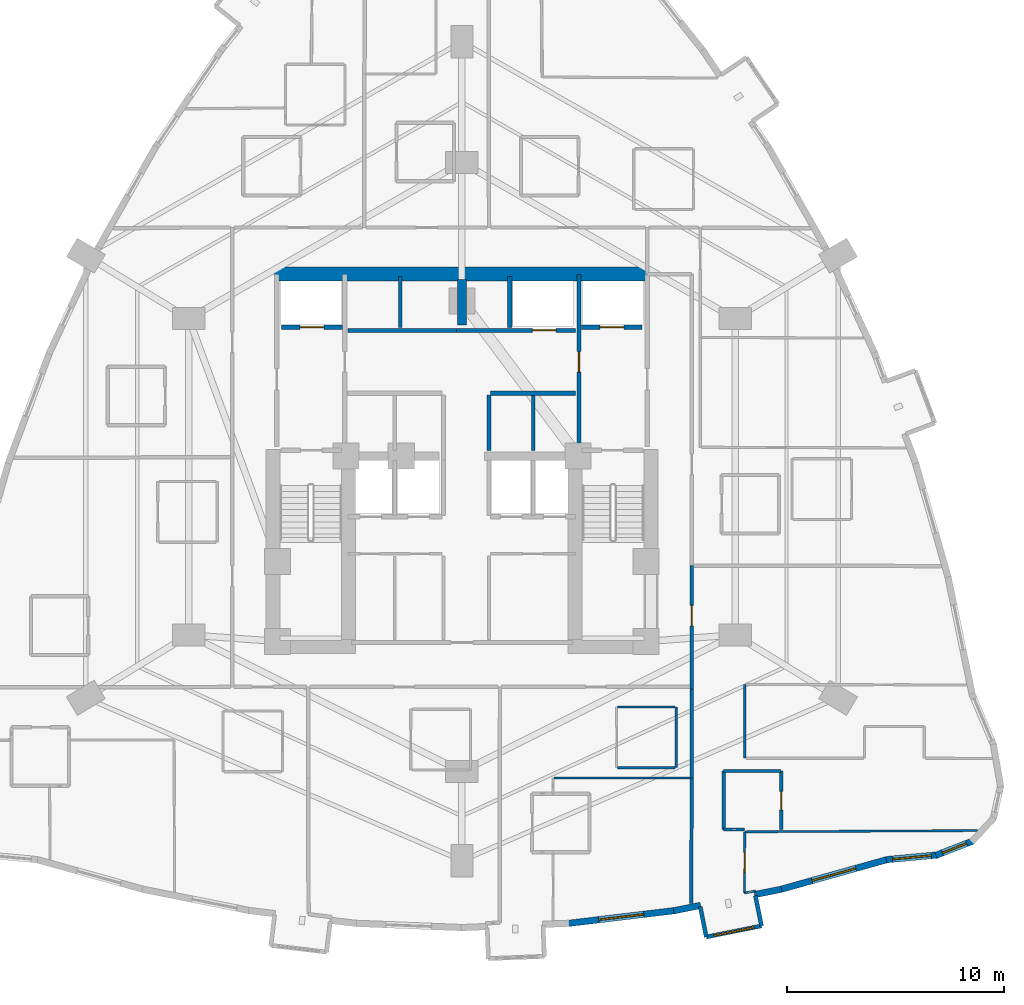
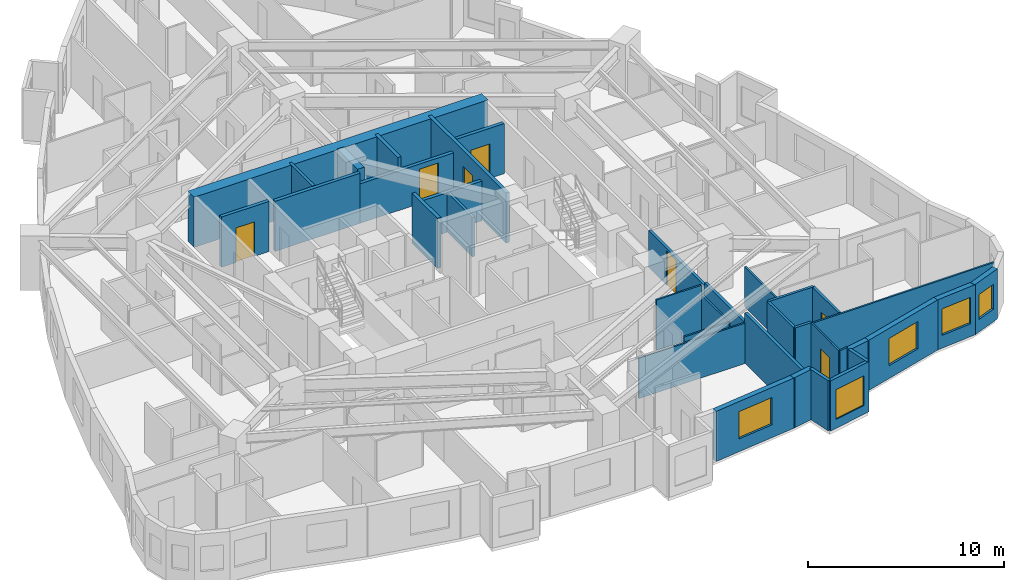
# One storey, part 10 of 15: 36 walls, 7 doors, 5 windows, 12 openings.
"""IFC4 building model written with IfcOpenShell, lengths in metres."""

from ifc_helpers import new_model, si_unit, direction, frame, frame_2d, origin, place, context, subcontext, project, spatial, rectangle, extrude, material, layer, layer_set, type_object, element, fill, save


model = new_model("IFC4")

# Units and contexts
model_context = context("Model", 3, precision=1e-05, world=origin(), true_north=direction((0.0, 1.0)))
body_context = subcontext(model_context, "Body", "Model", "MODEL_VIEW")
ifc_project = project(units=[si_unit("LENGTHUNIT", "METRE"), si_unit("AREAUNIT", "SQUARE_METRE"), si_unit("VOLUMEUNIT", "CUBIC_METRE"), si_unit("PLANEANGLEUNIT", "RADIAN"), si_unit("MASSUNIT", "GRAM", prefix="KILO")], contexts=[model_context])

# Site, building, storey
site_placement = place(None, origin())
site = spatial("IfcSite", under=ifc_project, at=site_placement, CompositionType="ELEMENT")
building_placement = place(site_placement, origin())
building = spatial("IfcBuilding", under=site, at=building_placement, Name="Miruveldt Soraemaru", CompositionType="ELEMENT")
storey_placement = place(building_placement, frame((0.0, 0.0, 39.39990234375)))
storey = spatial("IfcBuildingStorey", under=building, at=storey_placement, Name="L10", CompositionType="ELEMENT", Elevation=39.39990234375)

# Walls
ifc_material_1 = material(Name="White powder-coated aluminium EN AW-6060 T6", Category="aluminium")
ifc_layer_1 = layer(ifc_material_1, 0.18994140625, Name="White powder-coated aluminium EN AW-6060 T6", Category="aluminium")
ifc_layer_set_1 = layer_set([ifc_layer_1], Name="White powder-coated aluminium EN AW-6060 T6")
wall_type_1 = type_object("IfcWallType", Name="WALL-BAY-ALU190", PredefinedType="SOLIDWALL", material=ifc_layer_set_1)
wall_1_placement = place(storey_placement, frame((54.9951171875, 23.259033203125, 0.0), z_axis=(0.0, 0.0, 1.0), x_axis=(0.195984352603, -0.980607022989, 0.0)))
element("IfcWall", 1, at=wall_1_placement, inside=storey, type_object=wall_type_1, Name="L10 Bay Window Side Cheek 3L", PredefinedType="SOLIDWALL", context=body_context, shape_type="SweptSolid", body=[
    extrude(rectangle(XDim=1.425048828125, YDim=0.18994140625, at=frame_2d((0.71240234375, 0.0))), origin(), (0.0, 0.0, 1.0), 3.125),
])
wall_2_placement = place(storey_placement, frame((57.82421875, 22.37158203125, 0.0), z_axis=(0.0, 0.0, 1.0), x_axis=(-0.196182033934, 0.980567493629, 0.0)))
element("IfcWall", 2, at=wall_2_placement, inside=storey, type_object=wall_type_1, Name="L10 Bay Window Side Cheek 3R", PredefinedType="SOLIDWALL", context=body_context, shape_type="SweptSolid", body=[
    extrude(rectangle(XDim=1.4248046875, YDim=0.18994140625, at=frame_2d((0.71240234375, 0.0))), origin(), (0.0, 0.0, 1.0), 3.125),
])

# Wall, opening, window
wall_3_placement = place(storey_placement, frame((55.2744140625, 21.861572265625, 0.0), z_axis=(0.0, 0.0, 1.0), x_axis=(0.980577064408, 0.196134190688, 0.0)))
wall_3 = element("IfcWall", 3, at=wall_3_placement, inside=storey, type_object=wall_type_1, Name="L10 Bay Window Front Frame 3", PredefinedType="SOLIDWALL", context=body_context, shape_type="SweptSolid", body=[
    extrude(rectangle(XDim=2.600341796875, YDim=0.18994140625, at=frame_2d((1.30029296875, 0.0))), origin(), (0.0, 0.0, 1.0), 3.125),
])
opening_1_placement = place(wall_3_placement, frame((0.35009765625, 0.0, 0.550048828125)))
opening_1 = element("IfcOpeningElement", 4, at=opening_1_placement, cuts=wall_3, Name="Opening WN-6", PredefinedType="OPENING", context=body_context, shape_type="SweptSolid", body=[
    extrude(rectangle(XDim=1.89990234375, YDim=1.85009765625, at=frame_2d((0.949951171875, 0.925048828125))), frame((0.0, 0.10498046875, 0.0), z_axis=(0.0, -1.0, 0.0), x_axis=(1.0, 0.0, 0.0)), (0.0, 0.0, 1.0), 0.2099609375),
])
ifc_material_2 = material(Name="Triple low-e insulated glazing", Category="glass")
window_type_1 = type_object("IfcWindowType", Name="WIN-BAYW-1900x1850", PartitioningType="SINGLE_PANEL", PredefinedType="WINDOW", material=ifc_material_2)
window_1_placement = place(opening_1_placement, origin())
window_1 = element("IfcWindow", 5, at=window_1_placement, inside=storey, type_object=window_type_1, Name="L10 Projecting Bay Window 3", OverallHeight=1.85009765625, OverallWidth=1.89990234375, PartitioningType="SINGLE_PANEL", PredefinedType="WINDOW", context=body_context, shape_type="SweptSolid", body=[
    extrude(rectangle(XDim=1.89990234375, YDim=1.85009765625, at=frame_2d((0.949951171875, 0.925048828125))), frame((0.0, 0.030029296875, 0.0), z_axis=(0.0, -1.0, 0.0), x_axis=(1.0, 0.0, 0.0)), (0.0, 0.0, 1.0), 0.06005859375),
])
fill(opening_1, window_1)

# Walls
ifc_material_3 = material(Name="Concrete C70/85 (70 MPa)", Category="concrete")
ifc_layer_2 = layer(ifc_material_3, 0.5, Name="Concrete C70/85 (70 MPa)", Category="concrete")
ifc_layer_set_2 = layer_set([ifc_layer_2], Name="Concrete C70/85 (70 MPa)")
wall_type_2 = type_object("IfcWallType", Name="WALL-BW-500", PredefinedType="SHEAR", material=ifc_layer_set_2)
wall_4_placement = place(storey_placement, frame((44.0, 50.10009765625, 0.0), z_axis=(0.0, 0.0, 1.0), x_axis=(0.0, 1.0, 0.0)))
element("IfcWall", 6, at=wall_4_placement, inside=storey, type_object=wall_type_2, Name="L10 Core Buttress Shear Wall BN", PredefinedType="SHEAR", context=body_context, shape_type="SweptSolid", body=[
    extrude(rectangle(XDim=2.099853515625, YDim=0.39990234375, at=frame_2d((1.0498046875, 0.0))), origin(), (0.0, 0.0, 1.0), 3.125),
])
ifc_material_4 = material(Name="Concrete C80/95 (80 MPa)", Category="concrete")
ifc_layer_3 = layer(ifc_material_4, 0.64990234375, Name="Concrete C80/95 (80 MPa)", Category="concrete")
ifc_layer_set_3 = layer_set([ifc_layer_3], Name="Concrete C80/95 (80 MPa)")
wall_type_3 = type_object("IfcWallType", Name="WALL-CW-650", PredefinedType="SHEAR", material=ifc_layer_set_3)
wall_5_placement = place(storey_placement, frame((35.35009765625, 52.449951171875, 0.0), z_axis=(0.0, 0.0, 1.0), x_axis=(1.0, 0.0, 0.0)))
element("IfcWall", 7, at=wall_5_placement, inside=storey, type_object=wall_type_3, Name="L10 Central Core Shear Wall N", PredefinedType="SHEAR", context=body_context, shape_type="SweptSolid", body=[
    extrude(rectangle(XDim=17.2998046875, YDim=0.64990234375, at=frame_2d((8.64990234375, 0.0))), origin(), (0.0, 0.0, 1.0), 3.125),
])

# Wall, opening, window
ifc_material_5 = material(Name="Precast concrete C45/55 (45 MPa)", Category="concrete")
ifc_layer_4 = layer(ifc_material_5, 0.300048828125, Name="Precast concrete C45/55 (45 MPa)", Category="concrete")
ifc_layer_set_4 = layer_set([ifc_layer_4], Name="Precast concrete C45/55 (45 MPa)")
wall_type_4 = type_object("IfcWallType", Name="WALL-EXT-PC300", PredefinedType="SOLIDWALL", material=ifc_layer_set_4)
wall_6_placement = place(storey_placement, frame((48.868896484375, 22.48486328125, 0.0), z_axis=(0.0, 0.0, 1.0), x_axis=(0.992873378467, 0.119174050582, 0.0)))
wall_6 = element("IfcWall", 8, at=wall_6_placement, inside=storey, type_object=wall_type_4, Name="L10 Precast Concrete Facade Wall 26", PredefinedType="SOLIDWALL", context=body_context, shape_type="SweptSolid", body=[
    extrude(rectangle(XDim=5.0087890625, YDim=0.300048828125, at=frame_2d((2.50439453125, 0.0))), origin(), (0.0, 0.0, 1.0), 3.125),
])
opening_2_placement = place(wall_6_placement, frame((1.4541015625, 0.0, 0.800048828125)))
opening_2 = element("IfcOpeningElement", 9, at=opening_2_placement, cuts=wall_6, Name="Opening WN-1", PredefinedType="OPENING", context=body_context, shape_type="SweptSolid", body=[
    extrude(rectangle(XDim=2.10009765625, YDim=1.699951171875, at=frame_2d((1.050048828125, 0.85009765625))), frame((0.0, 0.16015625, 0.0), z_axis=(0.0, -1.0, 0.0), x_axis=(1.0, 0.0, 0.0)), (0.0, 0.0, 1.0), 0.320068359375),
])
window_type_2 = type_object("IfcWindowType", Name="WIN-PUNCH-2100x1700", PartitioningType="SINGLE_PANEL", PredefinedType="WINDOW", material=ifc_material_2)
window_2_placement = place(opening_2_placement, origin())
window_2 = element("IfcWindow", 10, at=window_2_placement, inside=storey, type_object=window_type_2, Name="L10 Punched Triple-Glazed Window 26.1", OverallHeight=1.699951171875, OverallWidth=2.10009765625, PartitioningType="SINGLE_PANEL", PredefinedType="WINDOW", context=body_context, shape_type="SweptSolid", body=[
    extrude(rectangle(XDim=2.10009765625, YDim=1.699951171875, at=frame_2d((1.050048828125, 0.85009765625))), frame((0.0, 0.030029296875, 0.0), z_axis=(0.0, -1.0, 0.0), x_axis=(1.0, 0.0, 0.0)), (0.0, 0.0, 1.0), 0.06005859375),
])
fill(opening_2, window_2)

# Walls
for number, where, z_axis, x_axis, name in (
    (11, (53.77294921875, 23.070556640625, 0.0), (0.0, 0.0, 1.0), (0.980558406217, 0.19622744965, 0.0), "L10 Precast Pier Wall 27A"),
    (12, (57.50439453125, 23.81689453125, 0.0), (0.0, 0.0, 1.0), (0.980558406217, 0.19622744965, 0.0), "L10 Precast Pier Wall 27B"),
):
    element("IfcWall", number, at=place(storey_placement, frame(where, z_axis=z_axis, x_axis=x_axis)), inside=storey, type_object=wall_type_4, Name=name, PredefinedType="SOLIDWALL", context=body_context, shape_type="SweptSolid", body=[
        extrude(rectangle(XDim=1.265380859375, YDim=0.300048828125, at=frame_2d((0.6328125, 0.0))), origin(), (0.0, 0.0, 1.0), 3.125),
    ])

# Wall, opening, window
wall_7_placement = place(storey_placement, frame((58.67724609375, 24.048828125, 0.0), z_axis=(0.0, 0.0, 1.0), x_axis=(0.962965002088, 0.269626417018, 0.0)))
wall_7 = element("IfcWall", 13, at=wall_7_placement, inside=storey, type_object=wall_type_4, Name="L10 Precast Concrete Facade Wall 28", PredefinedType="SOLIDWALL", context=body_context, shape_type="SweptSolid", body=[
    extrude(rectangle(XDim=5.162109375, YDim=0.300048828125, at=frame_2d((2.5810546875, 0.0))), origin(), (0.0, 0.0, 1.0), 3.125),
])
opening_3_placement = place(wall_7_placement, frame((1.531005859375, 0.0, 0.800048828125)))
opening_3 = element("IfcOpeningElement", 14, at=opening_3_placement, cuts=wall_7, Name="Opening WN-1", PredefinedType="OPENING", context=body_context, shape_type="SweptSolid", body=[
    extrude(rectangle(XDim=2.10009765625, YDim=1.699951171875, at=frame_2d((1.050048828125, 0.85009765625))), frame((0.0, 0.16015625, 0.0), z_axis=(0.0, -1.0, 0.0), x_axis=(1.0, 0.0, 0.0)), (0.0, 0.0, 1.0), 0.320068359375),
])
window_3_placement = place(opening_3_placement, origin())
window_3 = element("IfcWindow", 15, at=window_3_placement, inside=storey, type_object=window_type_2, Name="L10 Punched Triple-Glazed Window 28.1", OverallHeight=1.699951171875, OverallWidth=2.10009765625, PartitioningType="SINGLE_PANEL", PredefinedType="WINDOW", context=body_context, shape_type="SweptSolid", body=[
    extrude(rectangle(XDim=2.10009765625, YDim=1.699951171875, at=frame_2d((1.050048828125, 0.85009765625))), frame((0.0, 0.030029296875, 0.0), z_axis=(0.0, -1.0, 0.0), x_axis=(1.0, 0.0, 0.0)), (0.0, 0.0, 1.0), 0.06005859375),
])
fill(opening_3, window_3)

wall_8_placement = place(storey_placement, frame((63.57958984375, 25.427978515625, 0.0), z_axis=(0.0, 0.0, 1.0), x_axis=(0.99576320225, 0.091954581429, 0.0)))
wall_8 = element("IfcWall", 16, at=wall_8_placement, inside=storey, type_object=wall_type_4, Name="L10 Precast Concrete Facade Wall 29", PredefinedType="SOLIDWALL", context=body_context, shape_type="SweptSolid", body=[
    extrude(rectangle(XDim=2.37353515625, YDim=0.300048828125, at=frame_2d((1.186767578125, 0.0))), origin(), (0.0, 0.0, 1.0), 3.125),
])
opening_4_placement = place(wall_8_placement, frame((0.287109375, 0.0, 0.800048828125)))
opening_4 = element("IfcOpeningElement", 17, at=opening_4_placement, cuts=wall_8, Name="Opening WN-2", PredefinedType="OPENING", context=body_context, shape_type="SweptSolid", body=[
    extrude(rectangle(XDim=1.800048828125, YDim=1.64990234375, at=frame_2d((0.89990234375, 0.824951171875))), frame((0.0, 0.16015625, 0.0), z_axis=(0.0, -1.0, 0.0), x_axis=(1.0, 0.0, 0.0)), (0.0, 0.0, 1.0), 0.320068359375),
])
window_type_3 = type_object("IfcWindowType", Name="WIN-PUNCH-1800x1650", PartitioningType="SINGLE_PANEL", PredefinedType="WINDOW", material=ifc_material_2)
window_4_placement = place(opening_4_placement, origin())
window_4 = element("IfcWindow", 18, at=window_4_placement, inside=storey, type_object=window_type_3, Name="L10 Punched Triple-Glazed Window 29.1", OverallHeight=1.64990234375, OverallWidth=1.800048828125, PartitioningType="SINGLE_PANEL", PredefinedType="WINDOW", context=body_context, shape_type="SweptSolid", body=[
    extrude(rectangle(XDim=1.800048828125, YDim=1.64990234375, at=frame_2d((0.89990234375, 0.824951171875))), frame((0.0, 0.030029296875, 0.0), z_axis=(0.0, -1.0, 0.0), x_axis=(1.0, 0.0, 0.0)), (0.0, 0.0, 1.0), 0.06005859375),
])
fill(opening_4, window_4)

wall_9_placement = place(storey_placement, frame((65.875732421875, 25.63037109375, 0.0), z_axis=(0.0, 0.0, 1.0), x_axis=(0.932260177706, 0.361788558502, 0.0)))
wall_9 = element("IfcWall", 19, at=wall_9_placement, inside=storey, type_object=wall_type_4, Name="L10 Precast Concrete Facade Wall 30", PredefinedType="SOLIDWALL", context=body_context, shape_type="SweptSolid", body=[
    extrude(rectangle(XDim=1.827392578125, YDim=0.300048828125, at=frame_2d((0.91357421875, 0.0))), origin(), (0.0, 0.0, 1.0), 3.125),
])
opening_5_placement = place(wall_9_placement, frame((0.31396484375, 0.0, 0.780029296875)))
opening_5 = element("IfcOpeningElement", 20, at=opening_5_placement, cuts=wall_9, Name="Opening WN-4", PredefinedType="OPENING", context=body_context, shape_type="SweptSolid", body=[
    extrude(rectangle(XDim=1.199951171875, YDim=1.550048828125, at=frame_2d((0.60009765625, 0.77490234375))), frame((0.0, 0.16015625, 0.0), z_axis=(0.0, -1.0, 0.0), x_axis=(1.0, 0.0, 0.0)), (0.0, 0.0, 1.0), 0.320068359375),
])
window_type_4 = type_object("IfcWindowType", Name="WIN-PUNCH-1200x1550", PartitioningType="SINGLE_PANEL", PredefinedType="WINDOW", material=ifc_material_2)
window_5_placement = place(opening_5_placement, origin())
window_5 = element("IfcWindow", 21, at=window_5_placement, inside=storey, type_object=window_type_4, Name="L10 Punched Triple-Glazed Window 30.1", OverallHeight=1.550048828125, OverallWidth=1.199951171875, PartitioningType="SINGLE_PANEL", PredefinedType="WINDOW", context=body_context, shape_type="SweptSolid", body=[
    extrude(rectangle(XDim=1.199951171875, YDim=1.550048828125, at=frame_2d((0.60009765625, 0.77490234375))), frame((0.0, 0.030029296875, 0.0), z_axis=(0.0, -1.0, 0.0), x_axis=(1.0, 0.0, 0.0)), (0.0, 0.0, 1.0), 0.06005859375),
])
fill(opening_5, window_5)

# Wall, opening, door
ifc_material_6 = material(Name="Gypsum plasterboard lining", Category="gypsum")
ifc_layer_5 = layer(ifc_material_6, 0.10009765625, Name="Gypsum plasterboard lining", Category="gypsum")
ifc_layer_set_5 = layer_set([ifc_layer_5], Name="Gypsum plasterboard lining")
wall_type_5 = type_object("IfcWallType", Name="WALL-INT-P100", PredefinedType="PARTITIONING", material=ifc_layer_set_5)
wall_10_placement = place(storey_placement, frame((57.032958984375, 23.89111328125, 0.0), z_axis=(0.0, 0.0, 1.0), x_axis=(0.006051587985, 0.999981688974, 0.0)))
wall_10 = element("IfcWall", 22, at=wall_10_placement, inside=storey, type_object=wall_type_5, Name="L10 Partition Wall 83", PredefinedType="PARTITIONING", context=body_context, shape_type="SweptSolid", body=[
    extrude(rectangle(XDim=2.823974609375, YDim=0.10009765625, at=frame_2d((1.412109375, 0.0))), origin(), (0.0, 0.0, 1.0), 3.125),
])
opening_6_placement = place(wall_10_placement, frame((0.951904296875, 0.0, 0.0)))
opening_6 = element("IfcOpeningElement", 23, at=opening_6_placement, cuts=wall_10, Name="Opening D3A", PredefinedType="OPENING", context=body_context, shape_type="SweptSolid", body=[
    extrude(rectangle(XDim=0.919921875, YDim=2.10009765625, at=frame_2d((0.4599609375, 1.050048828125))), frame((0.0, 0.06005859375, 0.0), z_axis=(0.0, -1.0, 0.0), x_axis=(1.0, 0.0, 0.0)), (0.0, 0.0, 1.0), 0.1201171875),
])
ifc_material_7 = material(Name="Anodised aluminium EN AW-6063 T6", Category="aluminium")
door_type_1 = type_object("IfcDoorType", Name="DOOR-INT-920", OperationType="NOTDEFINED", PredefinedType="DOOR", material=ifc_material_7)
door_1_placement = place(opening_6_placement, origin())
door_1 = element("IfcDoor", 24, at=door_1_placement, inside=storey, type_object=door_type_1, Name="L10 Unit 1007 BD1 Door", OperationType="SINGLE_SWING_LEFT", OverallHeight=2.10009765625, OverallWidth=0.919921875, PredefinedType="DOOR", context=body_context, shape_type="SweptSolid", body=[
    extrude(rectangle(XDim=0.919921875, YDim=2.10009765625, at=frame_2d((0.4599609375, 1.050048828125))), frame((0.0, 0.02490234375, 0.0), z_axis=(0.0, -1.0, 0.0), x_axis=(1.0, 0.0, 0.0)), (0.0, 0.0, 1.0), 0.050048828125),
])
fill(opening_6, door_1)

# Walls
wall_11_placement = place(storey_placement, frame((57.050048828125, 26.715087890625, 0.0), z_axis=(0.0, 0.0, 1.0), x_axis=(0.999985460835, 0.005392413065, 0.0)))
element("IfcWall", 25, at=wall_11_placement, inside=storey, type_object=wall_type_5, Name="L10 Partition Wall 125", PredefinedType="PARTITIONING", context=body_context, shape_type="SweptSolid", body=[
    extrude(rectangle(XDim=10.730224609375, YDim=0.10009765625, at=frame_2d((5.365234375, 0.0))), origin(), (0.0, 0.0, 1.0), 3.125),
])
wall_12_placement = place(storey_placement, frame((48.256103515625, 29.199951171875, 0.0), z_axis=(0.0, 0.0, 1.0), x_axis=(1.0, 0.0, 0.0)))
element("IfcWall", 26, at=wall_12_placement, inside=storey, type_object=wall_type_5, Name="L10 Partition Wall 121", PredefinedType="PARTITIONING", context=body_context, shape_type="SweptSolid", body=[
    extrude(rectangle(XDim=6.2939453125, YDim=0.10009765625, at=frame_2d((3.14697265625, 0.0))), origin(), (0.0, 0.0, 1.0), 2.51318359375),
])
wall_13_placement = place(storey_placement, frame((57.050048828125, 30.113037109375, 0.0), z_axis=(0.0, 0.0, 1.0), x_axis=(0.0, 1.0, 0.0)))
element("IfcWall", 27, at=wall_13_placement, inside=storey, type_object=wall_type_5, Name="L10 Partition Wall 86", PredefinedType="PARTITIONING", context=body_context, shape_type="SweptSolid", body=[
    extrude(rectangle(XDim=3.39794921875, YDim=0.10009765625, at=frame_2d((1.698974609375, 0.0))), origin(), (0.0, 0.0, 1.0), 2.51318359375),
])
wall_14_placement = place(storey_placement, frame((53.885986328125, 29.675048828125, 0.0), z_axis=(0.0, 0.0, 1.0), x_axis=(0.0, 1.0, 0.0)))
element("IfcWall", 28, at=wall_14_placement, inside=storey, type_object=wall_type_5, Name="L10 Partition Wall 115", PredefinedType="PARTITIONING", context=body_context, shape_type="SweptSolid", body=[
    extrude(rectangle(XDim=2.800048828125, YDim=0.10009765625, at=frame_2d((1.39990234375, 0.0))), origin(), (0.0, 0.0, 1.0), 2.51318359375),
])
wall_15_placement = place(storey_placement, frame((53.8359375, 32.47509765625, 0.0), z_axis=(0.0, 0.0, 1.0), x_axis=(-1.0, 0.0, 0.0)))
element("IfcWall", 29, at=wall_15_placement, inside=storey, type_object=wall_type_5, Name="L10 Partition Wall 116", PredefinedType="PARTITIONING", context=body_context, shape_type="SweptSolid", body=[
    extrude(rectangle(XDim=2.64990234375, YDim=0.10009765625, at=frame_2d((1.324951171875, 0.0))), origin(), (0.0, 0.0, 1.0), 3.125),
])
wall_16_placement = place(storey_placement, frame((51.18603515625, 29.675048828125, 0.0), z_axis=(0.0, 0.0, 1.0), x_axis=(1.0, 0.0, 0.0)))
element("IfcWall", 30, at=wall_16_placement, inside=storey, type_object=wall_type_5, Name="L10 Partition Wall 118", PredefinedType="PARTITIONING", context=body_context, shape_type="SweptSolid", body=[
    extrude(rectangle(XDim=2.64990234375, YDim=0.10009765625, at=frame_2d((1.324951171875, 0.0))), origin(), (0.0, 0.0, 1.0), 2.51318359375),
])
wall_17_placement = place(storey_placement, frame((57.032958984375, 23.89111328125, 0.0), z_axis=(0.0, 0.0, 1.0), x_axis=(0.983174500968, 0.18266882779, 0.0)))
element("IfcWall", 31, at=wall_17_placement, inside=storey, type_object=wall_type_5, Name="L10 Partition Closure Return 1", PredefinedType="PARTITIONING", context=body_context, shape_type="SweptSolid", body=[
    extrude(rectangle(XDim=0.52783203125, YDim=0.10009765625, at=frame_2d((0.263916015625, 0.0))), origin(), (0.0, 0.0, 1.0), 3.125),
])

# Wall, opening, door
ifc_layer_6 = layer(ifc_material_6, 0.14990234375, Name="Gypsum plasterboard lining", Category="gypsum")
ifc_layer_set_6 = layer_set([ifc_layer_6], Name="Gypsum plasterboard lining")
wall_type_6 = type_object("IfcWallType", Name="WALL-INT-PLUMB", PredefinedType="PLUMBINGWALL", material=ifc_layer_set_6)
wall_18_placement = place(storey_placement, frame((58.72998046875, 26.819091796875, 0.0), z_axis=(0.0, 0.0, 1.0), x_axis=(0.0, 1.0, 0.0)))
wall_18 = element("IfcWall", 32, at=wall_18_placement, inside=storey, type_object=wall_type_6, Name="L10 Partition Wall 79", PredefinedType="PLUMBINGWALL", context=body_context, shape_type="SweptSolid", body=[
    extrude(rectangle(XDim=2.699951171875, YDim=0.14990234375, at=frame_2d((1.35009765625, 0.0))), origin(), (0.0, 0.0, 1.0), 3.125),
])
opening_7_placement = place(wall_18_placement, frame((0.909912109375, 0.0, 0.0)))
opening_7 = element("IfcOpeningElement", 33, at=opening_7_placement, cuts=wall_18, Name="Opening FD3", PredefinedType="OPENING", context=body_context, shape_type="SweptSolid", body=[
    extrude(rectangle(XDim=0.85009765625, YDim=2.10009765625, at=frame_2d((0.425048828125, 1.050048828125))), frame((0.0, 0.0849609375, 0.0), z_axis=(0.0, -1.0, 0.0), x_axis=(1.0, 0.0, 0.0)), (0.0, 0.0, 1.0), 0.169921875),
])
door_type_2 = type_object("IfcDoorType", Name="DOOR-FD3-850", OperationType="NOTDEFINED", PredefinedType="DOOR", material=ifc_material_7)
door_2_placement = place(opening_7_placement, origin())
door_2 = element("IfcDoor", 34, at=door_2_placement, inside=storey, type_object=door_type_2, Name="L10 Unit 1007 BTH Door", OperationType="SINGLE_SWING_RIGHT", OverallHeight=2.10009765625, OverallWidth=0.85009765625, PredefinedType="DOOR", context=body_context, shape_type="SweptSolid", body=[
    extrude(rectangle(XDim=0.85009765625, YDim=2.10009765625, at=frame_2d((0.425048828125, 1.050048828125))), frame((0.0, 0.02490234375, 0.0), z_axis=(0.0, -1.0, 0.0), x_axis=(1.0, 0.0, 0.0)), (0.0, 0.0, 1.0), 0.050048828125),
])
fill(opening_7, door_2)

# Walls
wall_19_placement = place(storey_placement, frame((56.080078125, 29.51904296875, 0.0), z_axis=(0.0, 0.0, 1.0), x_axis=(0.0, -1.0, 0.0)))
element("IfcWall", 35, at=wall_19_placement, inside=storey, type_object=wall_type_6, Name="L10 Partition Wall 81", PredefinedType="PLUMBINGWALL", context=body_context, shape_type="SweptSolid", body=[
    extrude(rectangle(XDim=2.699951171875, YDim=0.14990234375, at=frame_2d((1.35009765625, 0.0))), origin(), (0.0, 0.0, 1.0), 3.125),
])
wall_20_placement = place(storey_placement, frame((58.72998046875, 29.51904296875, 0.0), z_axis=(0.0, 0.0, 1.0), x_axis=(-1.0, 0.0, 0.0)))
element("IfcWall", 36, at=wall_20_placement, inside=storey, type_object=wall_type_6, Name="L10 Partition Wall 80", PredefinedType="PLUMBINGWALL", context=body_context, shape_type="SweptSolid", body=[
    extrude(rectangle(XDim=2.64990234375, YDim=0.14990234375, at=frame_2d((1.324951171875, 0.0))), origin(), (0.0, 0.0, 1.0), 3.125),
])
wall_21_placement = place(storey_placement, frame((56.080078125, 26.819091796875, 0.0), z_axis=(0.0, 0.0, 1.0), x_axis=(1.0, 0.0, 0.0)))
element("IfcWall", 37, at=wall_21_placement, inside=storey, type_object=wall_type_6, Name="L10 Partition Wall 82", PredefinedType="PLUMBINGWALL", context=body_context, shape_type="SweptSolid", body=[
    extrude(rectangle(XDim=0.96923828125, YDim=0.14990234375, at=frame_2d((0.484619140625, 0.0))), origin(), (0.0, 0.0, 1.0), 3.125),
])

# Wall, opening, door
ifc_material_8 = material(Name="Concrete C40/50 (40 MPa)", Category="concrete")
ifc_layer_7 = layer(ifc_material_8, 0.159912109375, Name="Concrete C40/50 (40 MPa)", Category="concrete")
ifc_layer_set_7 = layer_set([ifc_layer_7], Name="Concrete C40/50 (40 MPa)")
wall_type_7 = type_object("IfcWallType", Name="WALL-INT-RC160", PredefinedType="SOLIDWALL", material=ifc_layer_set_7)
wall_22_placement = place(storey_placement, frame((54.60009765625, 33.31005859375, 0.0), z_axis=(0.0, 0.0, 1.0), x_axis=(0.0, 1.0, 0.0)))
wall_22 = element("IfcWall", 38, at=wall_22_placement, inside=storey, type_object=wall_type_7, Name="L10 Partition Wall 9", PredefinedType="SOLIDWALL", context=body_context, shape_type="SweptSolid", body=[
    extrude(rectangle(XDim=5.68603515625, YDim=0.159912109375, at=frame_2d((2.843017578125, 0.0))), origin(), (0.0, 0.0, 1.0), 2.31298828125),
])
opening_8_placement = place(wall_22_placement, frame((2.907958984375, 0.0, 0.0)))
opening_8 = element("IfcOpeningElement", 39, at=opening_8_placement, cuts=wall_22, Name="Opening FD2", PredefinedType="OPENING", context=body_context, shape_type="SweptSolid", body=[
    extrude(rectangle(XDim=0.949951171875, YDim=2.14990234375, at=frame_2d((0.47509765625, 1.074951171875))), frame((0.0, 0.08984375, 0.0), z_axis=(0.0, -1.0, 0.0), x_axis=(1.0, 0.0, 0.0)), (0.0, 0.0, 1.0), 0.179931640625),
])
door_type_3 = type_object("IfcDoorType", Name="DOOR-FD2-950", OperationType="NOTDEFINED", PredefinedType="DOOR", material=ifc_material_7)
door_3_placement = place(opening_8_placement, origin())
door_3 = element("IfcDoor", 40, at=door_3_placement, inside=storey, type_object=door_type_3, Name="L10 Unit 1007 Entrance Fire Door", OperationType="SINGLE_SWING_LEFT", OverallHeight=2.14990234375, OverallWidth=0.949951171875, PredefinedType="DOOR", context=body_context, shape_type="SweptSolid", body=[
    extrude(rectangle(XDim=0.949951171875, YDim=2.14990234375, at=frame_2d((0.47509765625, 1.074951171875))), frame((0.0, 0.02490234375, 0.0), z_axis=(0.0, -1.0, 0.0), x_axis=(1.0, 0.0, 0.0)), (0.0, 0.0, 1.0), 0.050048828125),
])
fill(opening_8, door_3)

# Walls
wall_23_placement = place(storey_placement, frame((54.60009765625, 29.199951171875, 0.0), z_axis=(0.0, 0.0, 1.0), x_axis=(-0.002946983372, -0.999995657635, 0.0)))
element("IfcWall", 41, at=wall_23_placement, inside=storey, type_object=wall_type_7, Name="L10 Partition Wall 89", PredefinedType="SOLIDWALL", context=body_context, shape_type="SweptSolid", body=[
    extrude(rectangle(XDim=5.799072265625, YDim=0.159912109375, at=frame_2d((2.8994140625, 0.0))), origin(), (0.0, 0.0, 1.0), 3.125),
])
wall_24_placement = place(storey_placement, frame((54.60009765625, 33.31005859375, 0.0), z_axis=(0.0, 0.0, 1.0), x_axis=(0.0, -1.0, 0.0)))
element("IfcWall", 42, at=wall_24_placement, inside=storey, type_object=wall_type_7, Name="L10 Partition Wall 88", PredefinedType="SOLIDWALL", context=body_context, shape_type="SweptSolid", body=[
    extrude(rectangle(XDim=4.110107421875, YDim=0.159912109375, at=frame_2d((2.05517578125, 0.0))), origin(), (0.0, 0.0, 1.0), 2.51318359375),
])
wall_25_placement = place(storey_placement, frame((47.280029296875, 44.300048828125, 0.0), z_axis=(0.0, 0.0, 1.0), x_axis=(0.0, 1.0, 0.0)))
element("IfcWall", 43, at=wall_25_placement, inside=storey, type_object=wall_type_7, Name="L10 Core Compartment Wall PLM-DE", PredefinedType="SOLIDWALL", context=body_context, shape_type="SweptSolid", body=[
    extrude(rectangle(XDim=2.550048828125, YDim=0.159912109375, at=frame_2d((1.27490234375, 0.0))), origin(), (0.0, 0.0, 1.0), 2.463134765625),
])
wall_26_placement = place(storey_placement, frame((41.14990234375, 49.97998046875, 0.0), z_axis=(0.0, 0.0, 1.0), x_axis=(0.0, 1.0, 0.0)))
element("IfcWall", 44, at=wall_26_placement, inside=storey, type_object=wall_type_7, Name="L10 Core Compartment Wall PLH-DIV1", PredefinedType="SOLIDWALL", context=body_context, shape_type="SweptSolid", body=[
    extrude(rectangle(XDim=2.3701171875, YDim=0.159912109375, at=frame_2d((1.18505859375, 0.0))), origin(), (0.0, 0.0, 1.0), 3.125),
])

# Wall, opening, door
ifc_layer_8 = layer(ifc_material_8, 0.199951171875, Name="Concrete C40/50 (40 MPa)", Category="concrete")
ifc_layer_set_8 = layer_set([ifc_layer_8], Name="Concrete C40/50 (40 MPa)")
wall_type_8 = type_object("IfcWallType", Name="WALL-INT-RC200", PredefinedType="SOLIDWALL", material=ifc_layer_set_8)
wall_27_placement = place(storey_placement, frame((49.39990234375, 44.5, 0.0), z_axis=(0.0, 0.0, 1.0), x_axis=(0.0, 1.0, 0.0)))
wall_27 = element("IfcWall", 45, at=wall_27_placement, inside=storey, type_object=wall_type_8, Name="L10 Core Compartment Wall FFE-IN", PredefinedType="SOLIDWALL", context=body_context, shape_type="SweptSolid", body=[
    extrude(rectangle(XDim=7.919921875, YDim=0.199951171875, at=frame_2d((3.9599609375, 0.0))), origin(), (0.0, 0.0, 1.0), 3.125),
])
opening_9_placement = place(wall_27_placement, frame((3.425048828125, 0.0, 0.0)))
opening_9 = element("IfcOpeningElement", 46, at=opening_9_placement, cuts=wall_27, Name="Opening FD2", PredefinedType="OPENING", context=body_context, shape_type="SweptSolid", body=[
    extrude(rectangle(XDim=0.949951171875, YDim=2.14990234375, at=frame_2d((0.47509765625, 1.074951171875))), frame((0.0, 0.10986328125, 0.0), z_axis=(0.0, -1.0, 0.0), x_axis=(1.0, 0.0, 0.0)), (0.0, 0.0, 1.0), 0.219970703125),
])
door_4_placement = place(opening_9_placement, origin())
door_4 = element("IfcDoor", 47, at=door_4_placement, inside=storey, type_object=door_type_3, Name="L10 Lift Lobby to East Fire Lobby Door", OperationType="SINGLE_SWING_LEFT", OverallHeight=2.14990234375, OverallWidth=0.949951171875, PredefinedType="DOOR", context=body_context, shape_type="SweptSolid", body=[
    extrude(rectangle(XDim=0.949951171875, YDim=2.14990234375, at=frame_2d((0.47509765625, 1.074951171875))), frame((0.0, 0.02490234375, 0.0), z_axis=(0.0, -1.0, 0.0), x_axis=(1.0, 0.0, 0.0)), (0.0, 0.0, 1.0), 0.050048828125),
])
fill(opening_9, door_4)

wall_28_placement = place(storey_placement, frame((43.75, 49.85009765625, 0.0), z_axis=(0.0, 0.0, 1.0), x_axis=(1.0, 0.0, 0.0)))
wall_28 = element("IfcWall", 48, at=wall_28_placement, inside=storey, type_object=wall_type_8, Name="L10 Core Compartment Wall ROWA-SE", PredefinedType="SOLIDWALL", context=body_context, shape_type="SweptSolid", body=[
    extrude(rectangle(XDim=5.5, YDim=0.199951171875, at=frame_2d((2.75, 0.0))), origin(), (0.0, 0.0, 1.0), 2.463134765625),
])
opening_10_placement = place(wall_28_placement, frame((3.5, 0.0, 0.0)))
opening_10 = element("IfcOpeningElement", 49, at=opening_10_placement, cuts=wall_28, Name="Opening LD2", PredefinedType="OPENING", context=body_context, shape_type="SweptSolid", body=[
    extrude(rectangle(XDim=1.10009765625, YDim=2.14990234375, at=frame_2d((0.550048828125, 1.074951171875))), frame((0.0, 0.10986328125, 0.0), z_axis=(0.0, -1.0, 0.0), x_axis=(1.0, 0.0, 0.0)), (0.0, 0.0, 1.0), 0.219970703125),
])
door_type_4 = type_object("IfcDoorType", Name="DOOR-LD2-1100", OperationType="SLIDING_TO_LEFT", PredefinedType="DOOR", material=ifc_material_7)
door_5_placement = place(opening_10_placement, origin())
door_5 = element("IfcDoor", 50, at=door_5_placement, inside=storey, type_object=door_type_4, Name="L10 SL-1 Landing Door", OperationType="SLIDING_TO_LEFT", OverallHeight=2.14990234375, OverallWidth=1.10009765625, PredefinedType="DOOR", context=body_context, shape_type="SweptSolid", body=[
    extrude(rectangle(XDim=1.10009765625, YDim=2.14990234375, at=frame_2d((0.550048828125, 1.074951171875))), frame((0.0, 0.02490234375, 0.0), z_axis=(0.0, -1.0, 0.0), x_axis=(1.0, 0.0, 0.0)), (0.0, 0.0, 1.0), 0.050048828125),
])
fill(opening_10, door_5)

wall_29_placement = place(storey_placement, frame((35.679931640625, 50.0, 0.0), z_axis=(0.0, 0.0, 1.0), x_axis=(1.0, 0.0, 0.0)))
wall_29 = element("IfcWall", 51, at=wall_29_placement, inside=storey, type_object=wall_type_8, Name="L10 Core Compartment Wall FFL1-S", PredefinedType="SOLIDWALL", context=body_context, shape_type="SweptSolid", body=[
    extrude(rectangle(XDim=2.800048828125, YDim=0.199951171875, at=frame_2d((1.39990234375, 0.0))), origin(), (0.0, 0.0, 1.0), 3.125),
])
opening_11_placement = place(wall_29_placement, frame((0.85009765625, 0.0, 0.0)))
opening_11 = element("IfcOpeningElement", 52, at=opening_11_placement, cuts=wall_29, Name="Opening LD2", PredefinedType="OPENING", context=body_context, shape_type="SweptSolid", body=[
    extrude(rectangle(XDim=1.10009765625, YDim=2.14990234375, at=frame_2d((0.550048828125, 1.074951171875))), frame((0.0, 0.10986328125, 0.0), z_axis=(0.0, -1.0, 0.0), x_axis=(1.0, 0.0, 0.0)), (0.0, 0.0, 1.0), 0.219970703125),
])
door_6_placement = place(opening_11_placement, origin())
door_6 = element("IfcDoor", 53, at=door_6_placement, inside=storey, type_object=door_type_4, Name="L10 FFL-1 Landing Door", OperationType="SLIDING_TO_LEFT", OverallHeight=2.14990234375, OverallWidth=1.10009765625, PredefinedType="DOOR", context=body_context, shape_type="SweptSolid", body=[
    extrude(rectangle(XDim=1.10009765625, YDim=2.14990234375, at=frame_2d((0.550048828125, 1.074951171875))), frame((0.0, 0.02490234375, 0.0), z_axis=(0.0, -1.0, 0.0), x_axis=(1.0, 0.0, 0.0)), (0.0, 0.0, 1.0), 0.050048828125),
])
fill(opening_11, door_6)

wall_30_placement = place(storey_placement, frame((49.52001953125, 50.0, 0.0), z_axis=(0.0, 0.0, 1.0), x_axis=(1.0, 0.0, 0.0)))
wall_30 = element("IfcWall", 54, at=wall_30_placement, inside=storey, type_object=wall_type_8, Name="L10 Core Compartment Wall FFL2-S", PredefinedType="SOLIDWALL", context=body_context, shape_type="SweptSolid", body=[
    extrude(rectangle(XDim=2.800048828125, YDim=0.199951171875, at=frame_2d((1.39990234375, 0.0))), origin(), (0.0, 0.0, 1.0), 3.125),
])
opening_12_placement = place(wall_30_placement, frame((0.85009765625, 0.0, 0.0)))
opening_12 = element("IfcOpeningElement", 55, at=opening_12_placement, cuts=wall_30, Name="Opening LD2", PredefinedType="OPENING", context=body_context, shape_type="SweptSolid", body=[
    extrude(rectangle(XDim=1.10009765625, YDim=2.14990234375, at=frame_2d((0.550048828125, 1.074951171875))), frame((0.0, 0.10986328125, 0.0), z_axis=(0.0, -1.0, 0.0), x_axis=(1.0, 0.0, 0.0)), (0.0, 0.0, 1.0), 0.219970703125),
])
door_7_placement = place(opening_12_placement, origin())
door_7 = element("IfcDoor", 56, at=door_7_placement, inside=storey, type_object=door_type_4, Name="L10 FFL-2 Landing Door", OperationType="SLIDING_TO_LEFT", OverallHeight=2.14990234375, OverallWidth=1.10009765625, PredefinedType="DOOR", context=body_context, shape_type="SweptSolid", body=[
    extrude(rectangle(XDim=1.10009765625, YDim=2.14990234375, at=frame_2d((0.550048828125, 1.074951171875))), frame((0.0, 0.02490234375, 0.0), z_axis=(0.0, -1.0, 0.0), x_axis=(1.0, 0.0, 0.0)), (0.0, 0.0, 1.0), 0.050048828125),
])
fill(opening_12, door_7)

# Walls
wall_31_placement = place(storey_placement, frame((38.75, 49.85009765625, 0.0), z_axis=(0.0, 0.0, 1.0), x_axis=(1.0, 0.0, 0.0)))
element("IfcWall", 57, at=wall_31_placement, inside=storey, type_object=wall_type_8, Name="L10 Core Compartment Wall ROWA-SW", PredefinedType="SOLIDWALL", context=body_context, shape_type="SweptSolid", body=[
    extrude(rectangle(XDim=5.0, YDim=0.199951171875, at=frame_2d((2.5, 0.0))), origin(), (0.0, 0.0, 1.0), 3.125),
])
wall_32_placement = place(storey_placement, frame((45.320068359375, 46.949951171875, 0.0), z_axis=(0.0, 0.0, 1.0), x_axis=(1.0, 0.0, 0.0)))
element("IfcWall", 58, at=wall_32_placement, inside=storey, type_object=wall_type_8, Name="L10 Core Compartment Wall MBE-N", PredefinedType="SOLIDWALL", context=body_context, shape_type="SweptSolid", body=[
    extrude(rectangle(XDim=3.929931640625, YDim=0.199951171875, at=frame_2d((1.96484375, 0.0))), origin(), (0.0, 0.0, 1.0), 2.463134765625),
])
wall_33_placement = place(storey_placement, frame((45.25, 44.300048828125, 0.0), z_axis=(0.0, 0.0, 1.0), x_axis=(0.0, 1.0, 0.0)))
element("IfcWall", 59, at=wall_33_placement, inside=storey, type_object=wall_type_8, Name="L10 Core Compartment Wall SP-EB", PredefinedType="SOLIDWALL", context=body_context, shape_type="SweptSolid", body=[
    extrude(rectangle(XDim=2.579833984375, YDim=0.199951171875, at=frame_2d((1.2900390625, 0.0))), origin(), (0.0, 0.0, 1.0), 3.125),
])
wall_34_placement = place(storey_placement, frame((46.199951171875, 49.97998046875, 0.0), z_axis=(0.0, 0.0, 1.0), x_axis=(0.0, 1.0, 0.0)))
element("IfcWall", 60, at=wall_34_placement, inside=storey, type_object=wall_type_8, Name="L10 Core Compartment Wall PLH-SL-DIV", PredefinedType="SOLIDWALL", context=body_context, shape_type="SweptSolid", body=[
    extrude(rectangle(XDim=2.3701171875, YDim=0.199951171875, at=frame_2d((1.18505859375, 0.0))), origin(), (0.0, 0.0, 1.0), 3.125),
])

save(model, "model.ifc")
